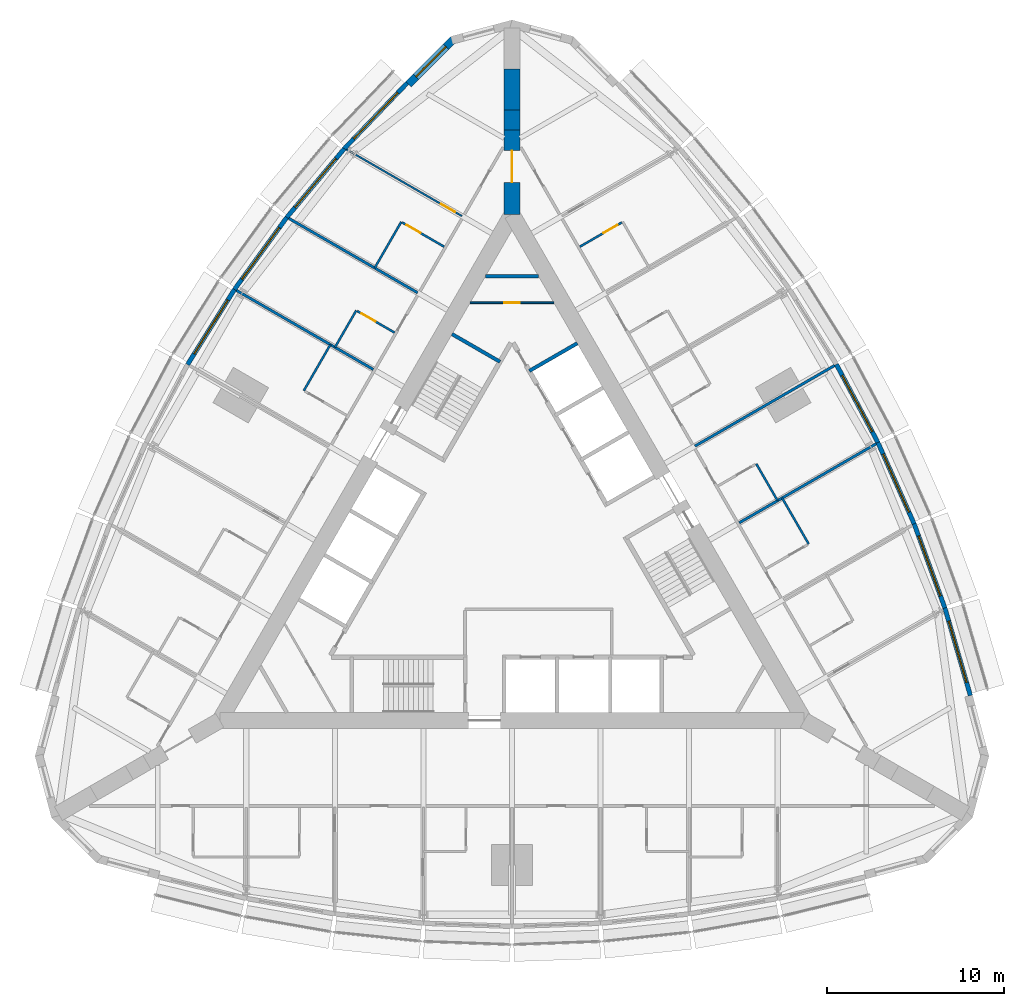
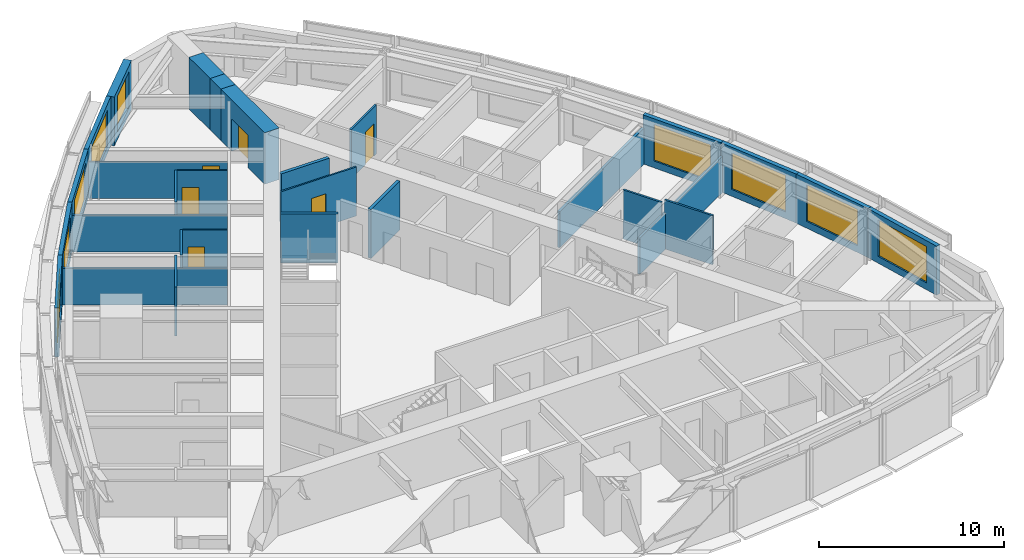
# One storey, part 12 of 14: 29 walls, 9 windows, 6 doors, 15 openings.
"""IFC4 building model written with IfcOpenShell, lengths in metres."""

from ifc_helpers import new_model, si_unit, direction, frame, frame_2d, origin, place, context, subcontext, project, spatial, rectangle, extrude, material, layer, layer_set, type_object, element, fill, save


model = new_model("IFC4")

# Units and contexts
model_context = context("Model", 3, precision=1e-05, world=origin(), true_north=direction((0.0, 1.0)))
body_context = subcontext(model_context, "Body", "Model", "MODEL_VIEW")
ifc_project = project(units=[si_unit("LENGTHUNIT", "METRE"), si_unit("AREAUNIT", "SQUARE_METRE"), si_unit("VOLUMEUNIT", "CUBIC_METRE"), si_unit("PLANEANGLEUNIT", "RADIAN"), si_unit("MASSUNIT", "GRAM", prefix="KILO")], contexts=[model_context])

# Site, building, storey
site_placement = place(None, origin())
site = spatial("IfcSite", under=ifc_project, at=site_placement, CompositionType="ELEMENT")
building_placement = place(site_placement, origin())
building = spatial("IfcBuilding", under=site, at=building_placement, Name="Trikona Tower", CompositionType="ELEMENT")
storey_placement = place(building_placement, frame((0.0, 0.0, 141.89990234375)))
storey = spatial("IfcBuildingStorey", under=building, at=storey_placement, Name="L37", CompositionType="ELEMENT", Elevation=141.89990234375)

# Walls
ifc_material_1 = material(Name="Metal stud and cement board", Category="gypsum")
ifc_layer_1 = layer(ifc_material_1, 0.1201171875)
ifc_layer_set_1 = layer_set([ifc_layer_1], Name="Bathroom wall 120")
wall_type_1 = type_object("IfcWallType", Name="Bathroom wall 120", PredefinedType="PLUMBINGWALL", material=ifc_layer_set_1)
wall_1_placement = place(storey_placement, frame((16.75341796875, 0.434814453125, 0.0), z_axis=(0.0, 0.0, 1.0), x_axis=(-0.499990139034, 0.866031096941, 0.0)))
element("IfcWall", 1, at=wall_1_placement, inside=storey, type_object=wall_type_1, Name="Bathroom wall 3706", PredefinedType="PLUMBINGWALL", context=body_context, shape_type="SweptSolid", body=[
    extrude(rectangle(XDim=3.0, YDim=0.1201171875, at=frame_2d((1.5, 0.0))), origin(), (0.0, 0.0, 1.0), 3.235107421875),
])
wall_2_placement = place(storey_placement, frame((14.993408203125, 2.883056640625, 0.0), z_axis=(0.0, 0.0, 1.0), x_axis=(-0.500001309137, 0.866024647952, 0.0)))
element("IfcWall", 2, at=wall_2_placement, inside=storey, type_object=wall_type_1, Name="Bathroom wall 3707", PredefinedType="PLUMBINGWALL", context=body_context, shape_type="SweptSolid", body=[
    extrude(rectangle(XDim=2.39990234375, YDim=0.1201171875, at=frame_2d((1.199951171875, 0.0))), origin(), (0.0, 0.0, 1.0), 3.235107421875),
])

# Wall, opening, door
wall_3_placement = place(storey_placement, frame((3.82861328125, 17.221435546875, 0.0), z_axis=(0.0, 0.0, 1.0), x_axis=(0.865997131366, 0.500048966069, 0.0)))
wall_3 = element("IfcWall", 3, at=wall_3_placement, inside=storey, type_object=wall_type_1, Name="Bathroom wall 3710.1", PredefinedType="PLUMBINGWALL", context=body_context, shape_type="SweptSolid", body=[
    extrude(rectangle(XDim=2.739990234375, YDim=0.1201171875, at=frame_2d((1.3701171875, 0.0))), origin(), (0.0, 0.0, 1.0), 3.235107421875),
])
opening_1_placement = place(wall_3_placement, frame((1.550048828125, 0.0, 0.0)))
opening_1 = element("IfcOpeningElement", 4, at=opening_1_placement, cuts=wall_3, Name="Opening D2", PredefinedType="OPENING", context=body_context, shape_type="SweptSolid", body=[
    extrude(rectangle(XDim=0.89990234375, YDim=2.1298828125, at=frame_2d((0.449951171875, 1.06494140625))), frame((0.0, 0.070068359375, 0.0), z_axis=(0.0, -1.0, 0.0), x_axis=(1.0, 0.0, 0.0)), (0.0, 0.0, 1.0), 0.14013671875),
])
ifc_material_2 = material(Name="Steel door frame with solid-core timber leaf", Category="steel")
door_type_1 = type_object("IfcDoorType", Name="Bathroom door 900x2130", OperationType="SLIDING_TO_LEFT", PredefinedType="DOOR", material=ifc_material_2)
door_1_placement = place(opening_1_placement, origin())
door_1 = element("IfcDoor", 5, at=door_1_placement, inside=storey, type_object=door_type_1, Name="Bathroom door 3710.1", OperationType="SLIDING_TO_LEFT", OverallHeight=2.1298828125, OverallWidth=0.89990234375, PredefinedType="DOOR", context=body_context, shape_type="SweptSolid", body=[
    extrude(rectangle(XDim=0.89990234375, YDim=2.1298828125, at=frame_2d((0.449951171875, 1.06494140625))), frame((0.0, 0.02490234375, 0.0), z_axis=(0.0, -1.0, 0.0), x_axis=(1.0, 0.0, 0.0)), (0.0, 0.0, 1.0), 0.050048828125),
])
fill(opening_1, door_1)

# Wall
wall_4_placement = place(storey_placement, frame((-6.25341796875, 18.62158203125, 0.0), z_axis=(0.0, 0.0, 1.0), x_axis=(-0.499990139034, -0.866031096941, 0.0)))
element("IfcWall", 6, at=wall_4_placement, inside=storey, type_object=wall_type_1, Name="Bathroom wall 3711.1", PredefinedType="PLUMBINGWALL", context=body_context, shape_type="SweptSolid", body=[
    extrude(rectangle(XDim=3.0, YDim=0.1201171875, at=frame_2d((1.5, 0.0))), origin(), (0.0, 0.0, 1.0), 3.235107421875),
])

# Wall, opening, door
wall_5_placement = place(storey_placement, frame((-3.82861328125, 17.221435546875, 0.0), z_axis=(0.0, 0.0, 1.0), x_axis=(-0.865997131366, 0.500048966069, 0.0)))
wall_5 = element("IfcWall", 7, at=wall_5_placement, inside=storey, type_object=wall_type_1, Name="Bathroom wall 3711.1", PredefinedType="PLUMBINGWALL", context=body_context, shape_type="SweptSolid", body=[
    extrude(rectangle(XDim=2.739990234375, YDim=0.1201171875, at=frame_2d((1.3701171875, 0.0))), origin(), (0.0, 0.0, 1.0), 3.235107421875),
])
opening_2_placement = place(wall_5_placement, frame((1.550048828125, 0.0, 0.0)))
opening_2 = element("IfcOpeningElement", 8, at=opening_2_placement, cuts=wall_5, Name="Opening D2", PredefinedType="OPENING", context=body_context, shape_type="SweptSolid", body=[
    extrude(rectangle(XDim=0.89990234375, YDim=2.1298828125, at=frame_2d((0.449951171875, 1.06494140625))), frame((0.0, 0.070068359375, 0.0), z_axis=(0.0, -1.0, 0.0), x_axis=(1.0, 0.0, 0.0)), (0.0, 0.0, 1.0), 0.14013671875),
])
door_2_placement = place(opening_2_placement, origin())
door_2 = element("IfcDoor", 9, at=door_2_placement, inside=storey, type_object=door_type_1, Name="Bathroom door 3711.1", OperationType="SLIDING_TO_LEFT", OverallHeight=2.1298828125, OverallWidth=0.89990234375, PredefinedType="DOOR", context=body_context, shape_type="SweptSolid", body=[
    extrude(rectangle(XDim=0.89990234375, YDim=2.1298828125, at=frame_2d((0.449951171875, 1.06494140625))), frame((0.0, 0.02490234375, 0.0), z_axis=(0.0, -1.0, 0.0), x_axis=(1.0, 0.0, 0.0)), (0.0, 0.0, 1.0), 0.050048828125),
])
fill(opening_2, door_2)

# Wall
wall_6_placement = place(storey_placement, frame((-8.79345703125, 13.62158203125, 0.0), z_axis=(0.0, 0.0, 1.0), x_axis=(-0.500001309137, -0.866024647952, 0.0)))
element("IfcWall", 10, at=wall_6_placement, inside=storey, type_object=wall_type_1, Name="Bathroom wall 3712", PredefinedType="PLUMBINGWALL", context=body_context, shape_type="SweptSolid", body=[
    extrude(rectangle(XDim=2.39990234375, YDim=0.1201171875, at=frame_2d((1.199951171875, 0.0))), origin(), (0.0, 0.0, 1.0), 3.235107421875),
])

# Wall, opening, door
wall_7_placement = place(storey_placement, frame((-6.62841796875, 12.37158203125, 0.0), z_axis=(0.0, 0.0, 1.0), x_axis=(-0.866005645448, 0.500034220881, 0.0)))
wall_7 = element("IfcWall", 11, at=wall_7_placement, inside=storey, type_object=wall_type_1, Name="Bathroom wall 3712", PredefinedType="PLUMBINGWALL", context=body_context, shape_type="SweptSolid", body=[
    extrude(rectangle(XDim=2.440185546875, YDim=0.1201171875, at=frame_2d((1.22021484375, 0.0))), origin(), (0.0, 0.0, 1.0), 3.235107421875),
])
opening_3_placement = place(wall_7_placement, frame((1.25, 0.0, 0.0)))
opening_3 = element("IfcOpeningElement", 12, at=opening_3_placement, cuts=wall_7, Name="Opening D2", PredefinedType="OPENING", context=body_context, shape_type="SweptSolid", body=[
    extrude(rectangle(XDim=0.89990234375, YDim=2.1298828125, at=frame_2d((0.449951171875, 1.06494140625))), frame((0.0, 0.070068359375, 0.0), z_axis=(0.0, -1.0, 0.0), x_axis=(1.0, 0.0, 0.0)), (0.0, 0.0, 1.0), 0.14013671875),
])
door_3_placement = place(opening_3_placement, origin())
door_3 = element("IfcDoor", 13, at=door_3_placement, inside=storey, type_object=door_type_1, Name="Bathroom door 3712", OperationType="SLIDING_TO_LEFT", OverallHeight=2.1298828125, OverallWidth=0.89990234375, PredefinedType="DOOR", context=body_context, shape_type="SweptSolid", body=[
    extrude(rectangle(XDim=0.89990234375, YDim=2.1298828125, at=frame_2d((0.449951171875, 1.06494140625))), frame((0.0, 0.02490234375, 0.0), z_axis=(0.0, -1.0, 0.0), x_axis=(1.0, 0.0, 0.0)), (0.0, 0.0, 1.0), 0.050048828125),
])
fill(opening_3, door_3)

# Wall
wall_8_placement = place(storey_placement, frame((-10.25341796875, 11.693359375, 0.0), z_axis=(0.0, 0.0, 1.0), x_axis=(-0.499990139034, -0.866031096941, 0.0)))
element("IfcWall", 14, at=wall_8_placement, inside=storey, type_object=wall_type_1, Name="Bathroom wall 3713", PredefinedType="PLUMBINGWALL", context=body_context, shape_type="SweptSolid", body=[
    extrude(rectangle(XDim=3.0, YDim=0.1201171875, at=frame_2d((1.5, 0.0))), origin(), (0.0, 0.0, 1.0), 3.235107421875),
])

# Wall, opening, window
ifc_material_3 = material(Name="Brick-faced precast concrete", Category="masonry")
ifc_layer_2 = layer(ifc_material_3, 0.449951171875)
ifc_layer_set_2 = layer_set([ifc_layer_2], Name="Brick-faced corner wall 450")
wall_type_2 = type_object("IfcWallType", Name="Brick-faced corner wall 450", PredefinedType="SOLIDWALL", material=ifc_layer_set_2)
wall_9_placement = place(storey_placement, frame((-3.304931640625, 28.934814453125, 0.0), z_axis=(0.0, 0.0, 1.0), x_axis=(-0.707106781187, -0.707106781187, 0.0)))
wall_9 = element("IfcWall", 15, at=wall_9_placement, inside=storey, type_object=wall_type_2, Name="External wall L37-23", PredefinedType="SOLIDWALL", context=body_context, shape_type="SweptSolid", body=[
    extrude(rectangle(XDim=3.586181640625, YDim=0.449951171875, at=frame_2d((1.79296875, 0.0))), origin(), (0.0, 0.0, 1.0), 3.235107421875),
])
opening_4_placement = place(wall_9_placement, frame((0.59326171875, 0.0, 0.449951171875)))
opening_4 = element("IfcOpeningElement", 16, at=opening_4_placement, cuts=wall_9, Name="Opening W2424", PredefinedType="OPENING", context=body_context, shape_type="SweptSolid", body=[
    extrude(rectangle(XDim=2.39990234375, YDim=2.39990234375, at=frame_2d((1.199951171875, 1.199951171875))), frame((0.0, 0.23486328125, 0.0), z_axis=(0.0, -1.0, 0.0), x_axis=(1.0, 0.0, 0.0)), (0.0, 0.0, 1.0), 0.469970703125),
])
ifc_material_4 = material(Name="Aluminium-framed double glazing", Category="aluminium")
window_type_1 = type_object("IfcWindowType", Name="Window 2400x2400", PartitioningType="SINGLE_PANEL", PredefinedType="WINDOW", material=ifc_material_4)
window_1_placement = place(opening_4_placement, origin())
window_1 = element("IfcWindow", 17, at=window_1_placement, inside=storey, type_object=window_type_1, Name="Window 3711", OverallHeight=2.39990234375, OverallWidth=2.39990234375, PartitioningType="SINGLE_PANEL", PredefinedType="WINDOW", context=body_context, shape_type="SweptSolid", body=[
    extrude(rectangle(XDim=2.39990234375, YDim=2.39990234375, at=frame_2d((1.199951171875, 1.199951171875))), frame((0.0, 0.030029296875, 0.0), z_axis=(0.0, -1.0, 0.0), x_axis=(1.0, 0.0, 0.0)), (0.0, 0.0, 1.0), 0.06005859375),
])
fill(opening_4, window_1)

# Wall, opening, door
ifc_material_5 = material(Name="Concrete f'c 10000 psi", Category="concrete")
ifc_layer_3 = layer(ifc_material_5, 0.89990234375)
ifc_layer_set_3 = layer_set([ifc_layer_3], Name="Buttress wall 900")
wall_type_3 = type_object("IfcWallType", Name="Buttress wall 900", PredefinedType="SHEAR", material=ifc_layer_set_3)
wall_10_placement = place(storey_placement, frame((0.0, 19.052490234375, 0.0), z_axis=(0.0, 0.0, 1.0), x_axis=(0.0, 1.0, 0.0)))
wall_10 = element("IfcWall", 18, at=wall_10_placement, inside=storey, type_object=wall_type_3, Name="Buttress wall 2", PredefinedType="SHEAR", context=body_context, shape_type="SweptSolid", body=[
    extrude(rectangle(XDim=4.74609375, YDim=0.89990234375, at=frame_2d((2.373046875, 0.0))), origin(), (0.0, 0.0, 1.0), 3.400146484375),
])
opening_5_placement = place(wall_10_placement, frame((1.800048828125, 0.0, 0.0)))
opening_5 = element("IfcOpeningElement", 19, at=opening_5_placement, cuts=wall_10, Name="Opening D10", PredefinedType="OPENING", context=body_context, shape_type="SweptSolid", body=[
    extrude(rectangle(XDim=1.800048828125, YDim=2.1298828125, at=frame_2d((0.89990234375, 1.06494140625))), frame((0.0, 0.4599609375, 0.0), z_axis=(0.0, -1.0, 0.0), x_axis=(1.0, 0.0, 0.0)), (0.0, 0.0, 1.0), 0.919921875),
])
ifc_material_6 = material(Name="Hollow metal door and frame", Category="steel")
door_type_2 = type_object("IfcDoorType", Name="Cross-corridor door pair 1800x2130", OperationType="DOUBLE_DOOR_DOUBLE_SWING", PredefinedType="DOOR", material=ifc_material_6)
door_4_placement = place(opening_5_placement, origin())
door_4 = element("IfcDoor", 20, at=door_4_placement, inside=storey, type_object=door_type_2, Name="Cross-corridor door 2", OperationType="DOUBLE_DOOR_DOUBLE_SWING", OverallHeight=2.1298828125, OverallWidth=1.800048828125, PredefinedType="DOOR", context=body_context, shape_type="SweptSolid", body=[
    extrude(rectangle(XDim=1.800048828125, YDim=2.1298828125, at=frame_2d((0.89990234375, 1.06494140625))), frame((0.0, 0.02490234375, 0.0), z_axis=(0.0, -1.0, 0.0), x_axis=(1.0, 0.0, 0.0)), (0.0, 0.0, 1.0), 0.050048828125),
])
fill(opening_5, door_4)

# Walls
wall_11_placement = place(storey_placement, frame((0.0, 23.798583984375, 0.0), z_axis=(0.0, 0.0, 1.0), x_axis=(0.0, 1.0, 0.0)))
element("IfcWall", 21, at=wall_11_placement, inside=storey, type_object=wall_type_3, Name="Buttress wall 2 part 2", PredefinedType="SHEAR", context=body_context, shape_type="SweptSolid", body=[
    extrude(rectangle(XDim=1.15478515625, YDim=0.89990234375, at=frame_2d((0.577392578125, 0.0))), origin(), (0.0, 0.0, 1.0), 3.400146484375),
])
wall_12_placement = place(storey_placement, frame((0.0, 24.953369140625, 0.0), z_axis=(0.0, 0.0, 1.0), x_axis=(0.0, 1.0, 0.0)))
element("IfcWall", 22, at=wall_12_placement, inside=storey, type_object=wall_type_3, Name="Buttress wall 2 part 3", PredefinedType="SHEAR", context=body_context, shape_type="SweptSolid", body=[
    extrude(rectangle(XDim=2.309326171875, YDim=0.89990234375, at=frame_2d((1.15478515625, 0.0))), origin(), (0.0, 0.0, 1.0), 3.400146484375),
])

# Wall, opening, window
ifc_material_7 = material(Name="Insulated precast concrete spandrel panel", Category="concrete")
ifc_layer_4 = layer(ifc_material_7, 0.25)
ifc_layer_set_4 = layer_set([ifc_layer_4], Name="Inner skin wall 250")
wall_type_4 = type_object("IfcWallType", Name="Inner skin wall 250", PredefinedType="STANDARD", material=ifc_layer_set_4)
wall_13_placement = place(storey_placement, frame((25.8798828125, -8.117919921875, 0.0), z_axis=(0.0, 0.0, 1.0), x_axis=(-0.279528287117, 0.960137457191, 0.0)))
wall_13 = element("IfcWall", 23, at=wall_13_placement, inside=storey, type_object=wall_type_4, Name="External wall L37-12", PredefinedType="STANDARD", context=body_context, shape_type="SweptSolid", body=[
    extrude(rectangle(XDim=5.14794921875, YDim=0.25, at=frame_2d((2.573974609375, 0.0))), origin(), (0.0, 0.0, 1.0), 3.235107421875),
])
opening_6_placement = place(wall_13_placement, frame((0.77392578125, 0.0, 0.449951171875)))
opening_6 = element("IfcOpeningElement", 24, at=opening_6_placement, cuts=wall_13, Name="Opening W3624", PredefinedType="OPENING", context=body_context, shape_type="SweptSolid", body=[
    extrude(rectangle(XDim=3.60009765625, YDim=2.39990234375, at=frame_2d((1.800048828125, 1.199951171875))), frame((0.0, 0.135009765625, 0.0), z_axis=(0.0, -1.0, 0.0), x_axis=(1.0, 0.0, 0.0)), (0.0, 0.0, 1.0), 0.27001953125),
])
ifc_material_8 = material(Name="Aluminium-framed double glazing", Category="aluminium")
window_type_2 = type_object("IfcWindowType", Name="Window 3600x2400", PartitioningType="SINGLE_PANEL", PredefinedType="WINDOW", material=ifc_material_8)
window_2_placement = place(opening_6_placement, origin())
window_2 = element("IfcWindow", 25, at=window_2_placement, inside=storey, type_object=window_type_2, Name="Window 3705", OverallHeight=2.39990234375, OverallWidth=3.60009765625, PartitioningType="SINGLE_PANEL", PredefinedType="WINDOW", context=body_context, shape_type="SweptSolid", body=[
    extrude(rectangle(XDim=3.60009765625, YDim=2.39990234375, at=frame_2d((1.800048828125, 1.199951171875))), frame((0.0, 0.030029296875, 0.0), z_axis=(0.0, -1.0, 0.0), x_axis=(1.0, 0.0, 0.0)), (0.0, 0.0, 1.0), 0.06005859375),
])
fill(opening_6, window_2)

wall_14_placement = place(storey_placement, frame((24.443603515625, -3.18310546875, 0.0), z_axis=(0.0, 0.0, 1.0), x_axis=(-0.343225593282, 0.939252996863, 0.0)))
wall_14 = element("IfcWall", 26, at=wall_14_placement, inside=storey, type_object=wall_type_4, Name="External wall L37-13", PredefinedType="STANDARD", context=body_context, shape_type="SweptSolid", body=[
    extrude(rectangle(XDim=5.075927734375, YDim=0.25, at=frame_2d((2.5380859375, 0.0))), origin(), (0.0, 0.0, 1.0), 3.235107421875),
])
opening_7_placement = place(wall_14_placement, frame((0.738037109375, 0.0, 0.449951171875)))
opening_7 = element("IfcOpeningElement", 27, at=opening_7_placement, cuts=wall_14, Name="Opening W3624", PredefinedType="OPENING", context=body_context, shape_type="SweptSolid", body=[
    extrude(rectangle(XDim=3.60009765625, YDim=2.39990234375, at=frame_2d((1.800048828125, 1.199951171875))), frame((0.0, 0.135009765625, 0.0), z_axis=(0.0, -1.0, 0.0), x_axis=(1.0, 0.0, 0.0)), (0.0, 0.0, 1.0), 0.27001953125),
])
window_3_placement = place(opening_7_placement, origin())
window_3 = element("IfcWindow", 28, at=window_3_placement, inside=storey, type_object=window_type_2, Name="Window 3705.1", OverallHeight=2.39990234375, OverallWidth=3.60009765625, PartitioningType="SINGLE_PANEL", PredefinedType="WINDOW", context=body_context, shape_type="SweptSolid", body=[
    extrude(rectangle(XDim=3.60009765625, YDim=2.39990234375, at=frame_2d((1.800048828125, 1.199951171875))), frame((0.0, 0.030029296875, 0.0), z_axis=(0.0, -1.0, 0.0), x_axis=(1.0, 0.0, 0.0)), (0.0, 0.0, 1.0), 0.06005859375),
])
fill(opening_7, window_3)

wall_15_placement = place(storey_placement, frame((22.70458984375, 1.576416015625, 0.0), z_axis=(0.0, 0.0, 1.0), x_axis=(-0.406832200364, 0.913502906808, 0.0)))
wall_15 = element("IfcWall", 29, at=wall_15_placement, inside=storey, type_object=wall_type_4, Name="External wall L37-14", PredefinedType="STANDARD", context=body_context, shape_type="SweptSolid", body=[
    extrude(rectangle(XDim=5.027587890625, YDim=0.25, at=frame_2d((2.513671875, 0.0))), origin(), (0.0, 0.0, 1.0), 3.235107421875),
])
opening_8_placement = place(wall_15_placement, frame((0.713623046875, 0.0, 0.449951171875)))
opening_8 = element("IfcOpeningElement", 30, at=opening_8_placement, cuts=wall_15, Name="Opening W3624", PredefinedType="OPENING", context=body_context, shape_type="SweptSolid", body=[
    extrude(rectangle(XDim=3.60009765625, YDim=2.39990234375, at=frame_2d((1.800048828125, 1.199951171875))), frame((0.0, 0.135009765625, 0.0), z_axis=(0.0, -1.0, 0.0), x_axis=(1.0, 0.0, 0.0)), (0.0, 0.0, 1.0), 0.27001953125),
])
window_4_placement = place(opening_8_placement, origin())
window_4 = element("IfcWindow", 31, at=window_4_placement, inside=storey, type_object=window_type_2, Name="Window 3706", OverallHeight=2.39990234375, OverallWidth=3.60009765625, PartitioningType="SINGLE_PANEL", PredefinedType="WINDOW", context=body_context, shape_type="SweptSolid", body=[
    extrude(rectangle(XDim=3.60009765625, YDim=2.39990234375, at=frame_2d((1.800048828125, 1.199951171875))), frame((0.0, 0.030029296875, 0.0), z_axis=(0.0, -1.0, 0.0), x_axis=(1.0, 0.0, 0.0)), (0.0, 0.0, 1.0), 0.06005859375),
])
fill(opening_8, window_4)

wall_16_placement = place(storey_placement, frame((20.662841796875, 6.161376953125, 0.0), z_axis=(0.0, 0.0, 1.0), x_axis=(-0.469404966864, 0.882982999317, 0.0)))
wall_16 = element("IfcWall", 32, at=wall_16_placement, inside=storey, type_object=wall_type_4, Name="External wall L37-15", PredefinedType="STANDARD", context=body_context, shape_type="SweptSolid", body=[
    extrude(rectangle(XDim=5.0029296875, YDim=0.25, at=frame_2d((2.50146484375, 0.0))), origin(), (0.0, 0.0, 1.0), 3.235107421875),
])
opening_9_placement = place(wall_16_placement, frame((0.701416015625, 0.0, 0.449951171875)))
opening_9 = element("IfcOpeningElement", 33, at=opening_9_placement, cuts=wall_16, Name="Opening W3624", PredefinedType="OPENING", context=body_context, shape_type="SweptSolid", body=[
    extrude(rectangle(XDim=3.60009765625, YDim=2.39990234375, at=frame_2d((1.800048828125, 1.199951171875))), frame((0.0, 0.135009765625, 0.0), z_axis=(0.0, -1.0, 0.0), x_axis=(1.0, 0.0, 0.0)), (0.0, 0.0, 1.0), 0.27001953125),
])
window_5_placement = place(opening_9_placement, origin())
window_5 = element("IfcWindow", 34, at=window_5_placement, inside=storey, type_object=window_type_2, Name="Window 3707", OverallHeight=2.39990234375, OverallWidth=3.60009765625, PartitioningType="SINGLE_PANEL", PredefinedType="WINDOW", context=body_context, shape_type="SweptSolid", body=[
    extrude(rectangle(XDim=3.60009765625, YDim=2.39990234375, at=frame_2d((1.800048828125, 1.199951171875))), frame((0.0, 0.030029296875, 0.0), z_axis=(0.0, -1.0, 0.0), x_axis=(1.0, 0.0, 0.0)), (0.0, 0.0, 1.0), 0.06005859375),
])
fill(opening_9, window_5)

wall_17_placement = place(storey_placement, frame((-5.90966796875, 26.4716796875, 0.0), z_axis=(0.0, 0.0, 1.0), x_axis=(-0.691719937936, -0.722165858693, 0.0)))
wall_17 = element("IfcWall", 35, at=wall_17_placement, inside=storey, type_object=wall_type_4, Name="External wall L37-24", PredefinedType="STANDARD", context=body_context, shape_type="SweptSolid", body=[
    extrude(rectangle(XDim=5.148193359375, YDim=0.25, at=frame_2d((2.57421875, 0.0))), origin(), (0.0, 0.0, 1.0), 3.235107421875),
])
opening_10_placement = place(wall_17_placement, frame((0.77392578125, 0.0, 0.449951171875)))
opening_10 = element("IfcOpeningElement", 36, at=opening_10_placement, cuts=wall_17, Name="Opening W3624", PredefinedType="OPENING", context=body_context, shape_type="SweptSolid", body=[
    extrude(rectangle(XDim=3.60009765625, YDim=2.39990234375, at=frame_2d((1.800048828125, 1.199951171875))), frame((0.0, 0.135009765625, 0.0), z_axis=(0.0, -1.0, 0.0), x_axis=(1.0, 0.0, 0.0)), (0.0, 0.0, 1.0), 0.27001953125),
])
window_6_placement = place(opening_10_placement, origin())
window_6 = element("IfcWindow", 37, at=window_6_placement, inside=storey, type_object=window_type_2, Name="Window 3711", OverallHeight=2.39990234375, OverallWidth=3.60009765625, PartitioningType="SINGLE_PANEL", PredefinedType="WINDOW", context=body_context, shape_type="SweptSolid", body=[
    extrude(rectangle(XDim=3.60009765625, YDim=2.39990234375, at=frame_2d((1.800048828125, 1.199951171875))), frame((0.0, 0.030029296875, 0.0), z_axis=(0.0, -1.0, 0.0), x_axis=(1.0, 0.0, 0.0)), (0.0, 0.0, 1.0), 0.06005859375),
])
fill(opening_10, window_6)

wall_18_placement = place(storey_placement, frame((-9.465087890625, 22.76025390625, 0.0), z_axis=(0.0, 0.0, 1.0), x_axis=(-0.641810386606, -0.766863369607, 0.0)))
wall_18 = element("IfcWall", 38, at=wall_18_placement, inside=storey, type_object=wall_type_4, Name="External wall L37-25", PredefinedType="STANDARD", context=body_context, shape_type="SweptSolid", body=[
    extrude(rectangle(XDim=5.075927734375, YDim=0.25, at=frame_2d((2.5380859375, 0.0))), origin(), (0.0, 0.0, 1.0), 3.235107421875),
])
opening_11_placement = place(wall_18_placement, frame((0.738037109375, 0.0, 0.449951171875)))
opening_11 = element("IfcOpeningElement", 39, at=opening_11_placement, cuts=wall_18, Name="Opening W3624", PredefinedType="OPENING", context=body_context, shape_type="SweptSolid", body=[
    extrude(rectangle(XDim=3.60009765625, YDim=2.39990234375, at=frame_2d((1.800048828125, 1.199951171875))), frame((0.0, 0.135009765625, 0.0), z_axis=(0.0, -1.0, 0.0), x_axis=(1.0, 0.0, 0.0)), (0.0, 0.0, 1.0), 0.27001953125),
])
window_7_placement = place(opening_11_placement, origin())
window_7 = element("IfcWindow", 40, at=window_7_placement, inside=storey, type_object=window_type_2, Name="Window 3711.1", OverallHeight=2.39990234375, OverallWidth=3.60009765625, PartitioningType="SINGLE_PANEL", PredefinedType="WINDOW", context=body_context, shape_type="SweptSolid", body=[
    extrude(rectangle(XDim=3.60009765625, YDim=2.39990234375, at=frame_2d((1.800048828125, 1.199951171875))), frame((0.0, 0.030029296875, 0.0), z_axis=(0.0, -1.0, 0.0), x_axis=(1.0, 0.0, 0.0)), (0.0, 0.0, 1.0), 0.06005859375),
])
fill(opening_11, window_7)

wall_19_placement = place(storey_placement, frame((-12.717529296875, 18.87451171875, 0.0), z_axis=(0.0, 0.0, 1.0), x_axis=(-0.587669188412, -0.809101307001, 0.0)))
wall_19 = element("IfcWall", 41, at=wall_19_placement, inside=storey, type_object=wall_type_4, Name="External wall L37-26", PredefinedType="STANDARD", context=body_context, shape_type="SweptSolid", body=[
    extrude(rectangle(XDim=5.027587890625, YDim=0.25, at=frame_2d((2.513671875, 0.0))), origin(), (0.0, 0.0, 1.0), 3.235107421875),
])
opening_12_placement = place(wall_19_placement, frame((0.7138671875, 0.0, 0.449951171875)))
opening_12 = element("IfcOpeningElement", 42, at=opening_12_placement, cuts=wall_19, Name="Opening W3624", PredefinedType="OPENING", context=body_context, shape_type="SweptSolid", body=[
    extrude(rectangle(XDim=3.60009765625, YDim=2.39990234375, at=frame_2d((1.800048828125, 1.199951171875))), frame((0.0, 0.135009765625, 0.0), z_axis=(0.0, -1.0, 0.0), x_axis=(1.0, 0.0, 0.0)), (0.0, 0.0, 1.0), 0.27001953125),
])
window_8_placement = place(opening_12_placement, origin())
window_8 = element("IfcWindow", 43, at=window_8_placement, inside=storey, type_object=window_type_2, Name="Window 3712", OverallHeight=2.39990234375, OverallWidth=3.60009765625, PartitioningType="SINGLE_PANEL", PredefinedType="WINDOW", context=body_context, shape_type="SweptSolid", body=[
    extrude(rectangle(XDim=3.60009765625, YDim=2.39990234375, at=frame_2d((1.800048828125, 1.199951171875))), frame((0.0, 0.030029296875, 0.0), z_axis=(0.0, -1.0, 0.0), x_axis=(1.0, 0.0, 0.0)), (0.0, 0.0, 1.0), 0.06005859375),
])
fill(opening_12, window_8)

wall_20_placement = place(storey_placement, frame((-15.667236328125, 14.81396484375, 0.0), z_axis=(0.0, 0.0, 1.0), x_axis=(-0.529990167382, -0.84800378683, 0.0)))
wall_20 = element("IfcWall", 44, at=wall_20_placement, inside=storey, type_object=wall_type_4, Name="External wall L37-27", PredefinedType="STANDARD", context=body_context, shape_type="SweptSolid", body=[
    extrude(rectangle(XDim=5.003173828125, YDim=0.25, at=frame_2d((2.50146484375, 0.0))), origin(), (0.0, 0.0, 1.0), 3.235107421875),
])
opening_13_placement = place(wall_20_placement, frame((0.701416015625, 0.0, 0.449951171875)))
opening_13 = element("IfcOpeningElement", 45, at=opening_13_placement, cuts=wall_20, Name="Opening W3624", PredefinedType="OPENING", context=body_context, shape_type="SweptSolid", body=[
    extrude(rectangle(XDim=3.60009765625, YDim=2.39990234375, at=frame_2d((1.800048828125, 1.199951171875))), frame((0.0, 0.135009765625, 0.0), z_axis=(0.0, -1.0, 0.0), x_axis=(1.0, 0.0, 0.0)), (0.0, 0.0, 1.0), 0.27001953125),
])
window_9_placement = place(opening_13_placement, origin())
window_9 = element("IfcWindow", 46, at=window_9_placement, inside=storey, type_object=window_type_2, Name="Window 3713", OverallHeight=2.39990234375, OverallWidth=3.60009765625, PartitioningType="SINGLE_PANEL", PredefinedType="WINDOW", context=body_context, shape_type="SweptSolid", body=[
    extrude(rectangle(XDim=3.60009765625, YDim=2.39990234375, at=frame_2d((1.800048828125, 1.199951171875))), frame((0.0, 0.030029296875, 0.0), z_axis=(0.0, -1.0, 0.0), x_axis=(1.0, 0.0, 0.0)), (0.0, 0.0, 1.0), 0.06005859375),
])
fill(opening_13, window_9)

# Walls
ifc_material_9 = material(Name="Metal stud and gypsum board, 1-hour acoustic", Category="gypsum")
ifc_layer_5 = layer(ifc_material_9, 0.14990234375)
ifc_layer_set_5 = layer_set([ifc_layer_5], Name="Party wall 150")
wall_type_5 = type_object("IfcWallType", Name="Party wall 150", PredefinedType="PARTITIONING", material=ifc_layer_set_5)
wall_21_placement = place(storey_placement, frame((12.82861328125, 1.633056640625, 0.0), z_axis=(0.0, 0.0, 1.0), x_axis=(0.866027015393, 0.499997208602, 0.0)))
element("IfcWall", 47, at=wall_21_placement, inside=storey, type_object=wall_type_5, Name="Partition L37 F2 u-5", PredefinedType="PARTITIONING", context=body_context, shape_type="SweptSolid", body=[
    extrude(rectangle(XDim=8.92236328125, YDim=0.14990234375, at=frame_2d((4.461181640625, 0.0))), origin(), (0.0, 0.0, 1.0), 2.389404296875),
])
wall_22_placement = place(storey_placement, frame((10.32861328125, 5.963134765625, 0.0), z_axis=(0.0, 0.0, 1.0), x_axis=(0.866025170687, 0.500000403736, 0.0)))
element("IfcWall", 48, at=wall_22_placement, inside=storey, type_object=wall_type_5, Name="Partition L37 F2 u-4.44089e-15", PredefinedType="PARTITIONING", context=body_context, shape_type="SweptSolid", body=[
    extrude(rectangle(XDim=9.0986328125, YDim=0.14990234375, at=frame_2d((4.54931640625, 0.0))), origin(), (0.0, 0.0, 1.0), 2.389404296875),
])
wall_23_placement = place(storey_placement, frame((-5.32861328125, 14.623291015625, 0.0), z_axis=(0.0, 0.0, 1.0), x_axis=(-0.866011723728, 0.500023693804, 0.0)))
element("IfcWall", 49, at=wall_23_placement, inside=storey, type_object=wall_type_5, Name="Partition L37 F3 u-10", PredefinedType="PARTITIONING", context=body_context, shape_type="SweptSolid", body=[
    extrude(rectangle(XDim=8.39501953125, YDim=0.14990234375, at=frame_2d((4.197509765625, 0.0))), origin(), (0.0, 0.0, 1.0), 2.389404296875),
])
wall_24_placement = place(storey_placement, frame((-7.82861328125, 10.293212890625, 0.0), z_axis=(0.0, 0.0, 1.0), x_axis=(-0.866027015393, 0.499997208602, 0.0)))
element("IfcWall", 50, at=wall_24_placement, inside=storey, type_object=wall_type_5, Name="Partition L37 F3 u-5", PredefinedType="PARTITIONING", context=body_context, shape_type="SweptSolid", body=[
    extrude(rectangle(XDim=8.92236328125, YDim=0.14990234375, at=frame_2d((4.461181640625, 0.0))), origin(), (0.0, 0.0, 1.0), 2.389404296875),
])
ifc_material_10 = material(Name="Concrete f'c 8000 psi", Category="concrete")
ifc_layer_6 = layer(ifc_material_10, 0.199951171875)
ifc_layer_set_6 = layer_set([ifc_layer_6], Name="Shaft wall 200")
wall_type_6 = type_object("IfcWallType", Name="Shaft wall 200", PredefinedType="SOLIDWALL", material=ifc_layer_set_6)
wall_25_placement = place(storey_placement, frame((0.97900390625, 10.20703125, 0.0), z_axis=(0.0, 0.0, 1.0), x_axis=(0.866022959057, 0.500004234368, 0.0)))
element("IfcWall", 51, at=wall_25_placement, inside=storey, type_object=wall_type_6, Name="Shaft wall B6", PredefinedType="SOLIDWALL", context=body_context, shape_type="SweptSolid", body=[
    extrude(rectangle(XDim=3.125, YDim=0.199951171875, at=frame_2d((1.5625, 0.0))), origin(), (0.0, 0.0, 1.0), 3.235107421875),
])
wall_26_placement = place(storey_placement, frame((-1.501220703125, 15.552490234375, 0.0), z_axis=(0.0, 0.0, 1.0), x_axis=(1.0, 0.0, 0.0)))
element("IfcWall", 52, at=wall_26_placement, inside=storey, type_object=wall_type_6, Name="Riser wall L37-RS2", PredefinedType="SOLIDWALL", context=body_context, shape_type="SweptSolid", body=[
    extrude(rectangle(XDim=3.00244140625, YDim=0.199951171875, at=frame_2d((1.501220703125, 0.0))), origin(), (0.0, 0.0, 1.0), 3.235107421875),
])
ifc_material_11 = material(Name="Concrete f'c 8000 psi", Category="concrete")
ifc_layer_7 = layer(ifc_material_11, 0.199951171875)
ifc_layer_set_7 = layer_set([ifc_layer_7], Name="Shaft wall 200 load-bearing")
wall_type_7 = type_object("IfcWallType", Name="Shaft wall 200 load-bearing", PredefinedType="SOLIDWALL", material=ifc_layer_set_7)
wall_27_placement = place(storey_placement, frame((-0.678955078125, 10.7265625, 0.0), z_axis=(0.0, 0.0, 1.0), x_axis=(-0.866022959057, 0.500004234368, 0.0)))
element("IfcWall", 53, at=wall_27_placement, inside=storey, type_object=wall_type_7, Name="Shaft wall C1", PredefinedType="SOLIDWALL", context=body_context, shape_type="SweptSolid", body=[
    extrude(rectangle(XDim=3.125, YDim=0.199951171875, at=frame_2d((1.5625, 0.0))), origin(), (0.0, 0.0, 1.0), 3.235107421875),
])

# Wall, opening, door
ifc_material_12 = material(Name="Metal stud and gypsum board, acoustic", Category="gypsum")
ifc_layer_8 = layer(ifc_material_12, 0.10009765625)
ifc_layer_set_8 = layer_set([ifc_layer_8], Name="Suite partition 100")
wall_type_8 = type_object("IfcWallType", Name="Suite partition 100", PredefinedType="PARTITIONING", material=ifc_layer_set_8)
wall_28_placement = place(storey_placement, frame((-2.82861328125, 18.95361328125, 0.0), z_axis=(0.0, 0.0, 1.0), x_axis=(-0.866015739374, 0.500016738876, 0.0)))
wall_28 = element("IfcWall", 54, at=wall_28_placement, inside=storey, type_object=wall_type_8, Name="Suite partition L37 F3 u-15", PredefinedType="PARTITIONING", context=body_context, shape_type="SweptSolid", body=[
    extrude(rectangle(XDim=7.516357421875, YDim=0.10009765625, at=frame_2d((3.75830078125, 0.0))), origin(), (0.0, 0.0, 1.0), 2.389404296875),
])
opening_14_placement = place(wall_28_placement, frame((0.449951171875, 0.0, 0.0)))
opening_14 = element("IfcOpeningElement", 55, at=opening_14_placement, cuts=wall_28, Name="Opening D13", PredefinedType="OPENING", context=body_context, shape_type="SweptSolid", body=[
    extrude(rectangle(XDim=0.89990234375, YDim=2.1298828125, at=frame_2d((0.449951171875, 1.06494140625))), frame((0.0, 0.06005859375, 0.0), z_axis=(0.0, -1.0, 0.0), x_axis=(1.0, 0.0, 0.0)), (0.0, 0.0, 1.0), 0.1201171875),
])
ifc_material_13 = material(Name="Steel door frame with solid-core timber leaf", Category="steel")
door_type_3 = type_object("IfcDoorType", Name="Suite door 900x2130", OperationType="SINGLE_SWING_LEFT", PredefinedType="DOOR", material=ifc_material_13)
door_5_placement = place(opening_14_placement, origin())
door_5 = element("IfcDoor", 56, at=door_5_placement, inside=storey, type_object=door_type_3, Name="Suite door 3711", OperationType="SINGLE_SWING_LEFT", OverallHeight=2.1298828125, OverallWidth=0.89990234375, PredefinedType="DOOR", context=body_context, shape_type="SweptSolid", body=[
    extrude(rectangle(XDim=0.89990234375, YDim=2.1298828125, at=frame_2d((0.449951171875, 1.06494140625))), frame((0.0, 0.02490234375, 0.0), z_axis=(0.0, -1.0, 0.0), x_axis=(1.0, 0.0, 0.0)), (0.0, 0.0, 1.0), 0.050048828125),
])
fill(opening_14, door_5)

wall_29_placement = place(storey_placement, frame((-2.3671875, 14.052490234375, 0.0), z_axis=(0.0, 0.0, 1.0), x_axis=(1.0, 0.0, 0.0)))
wall_29 = element("IfcWall", 57, at=wall_29_placement, inside=storey, type_object=wall_type_8, Name="Store partition L37-RS2", PredefinedType="PARTITIONING", context=body_context, shape_type="SweptSolid", body=[
    extrude(rectangle(XDim=4.734375, YDim=0.10009765625, at=frame_2d((2.3671875, 0.0))), origin(), (0.0, 0.0, 1.0), 3.235107421875),
])
opening_15_placement = place(wall_29_placement, frame((1.9169921875, 0.0, 0.0)))
opening_15 = element("IfcOpeningElement", 58, at=opening_15_placement, cuts=wall_29, Name="Opening D15", PredefinedType="OPENING", context=body_context, shape_type="SweptSolid", body=[
    extrude(rectangle(XDim=0.89990234375, YDim=2.1298828125, at=frame_2d((0.449951171875, 1.06494140625))), frame((0.0, 0.06005859375, 0.0), z_axis=(0.0, -1.0, 0.0), x_axis=(1.0, 0.0, 0.0)), (0.0, 0.0, 1.0), 0.1201171875),
])
ifc_material_14 = material(Name="Steel door frame with solid-core timber leaf", Category="steel")
door_type_4 = type_object("IfcDoorType", Name="Store door 900x2130", OperationType="SINGLE_SWING_LEFT", PredefinedType="DOOR", material=ifc_material_14)
door_6_placement = place(opening_15_placement, origin())
door_6 = element("IfcDoor", 59, at=door_6_placement, inside=storey, type_object=door_type_4, Name="Door Cleaner's store CLN", OperationType="SINGLE_SWING_LEFT", OverallHeight=2.1298828125, OverallWidth=0.89990234375, PredefinedType="DOOR", context=body_context, shape_type="SweptSolid", body=[
    extrude(rectangle(XDim=0.89990234375, YDim=2.1298828125, at=frame_2d((0.449951171875, 1.06494140625))), frame((0.0, 0.02490234375, 0.0), z_axis=(0.0, -1.0, 0.0), x_axis=(1.0, 0.0, 0.0)), (0.0, 0.0, 1.0), 0.050048828125),
])
fill(opening_15, door_6)

save(model, "model.ifc")
